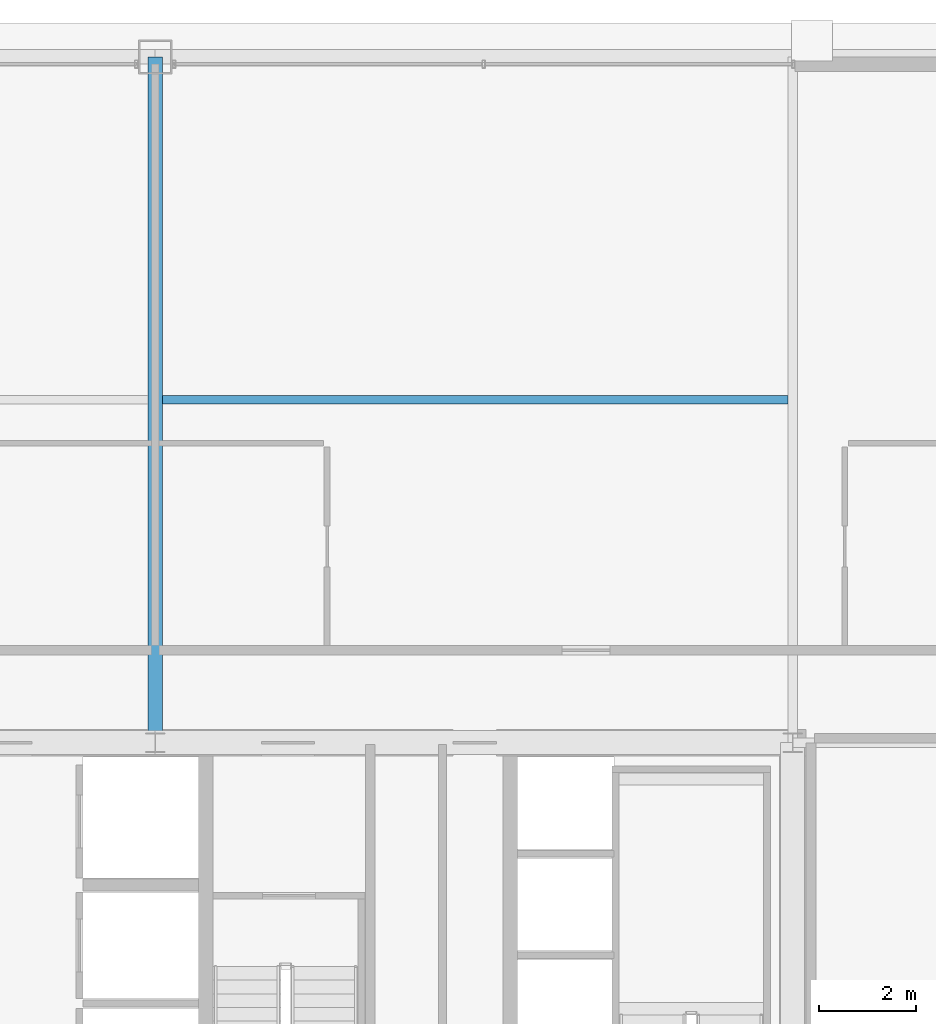
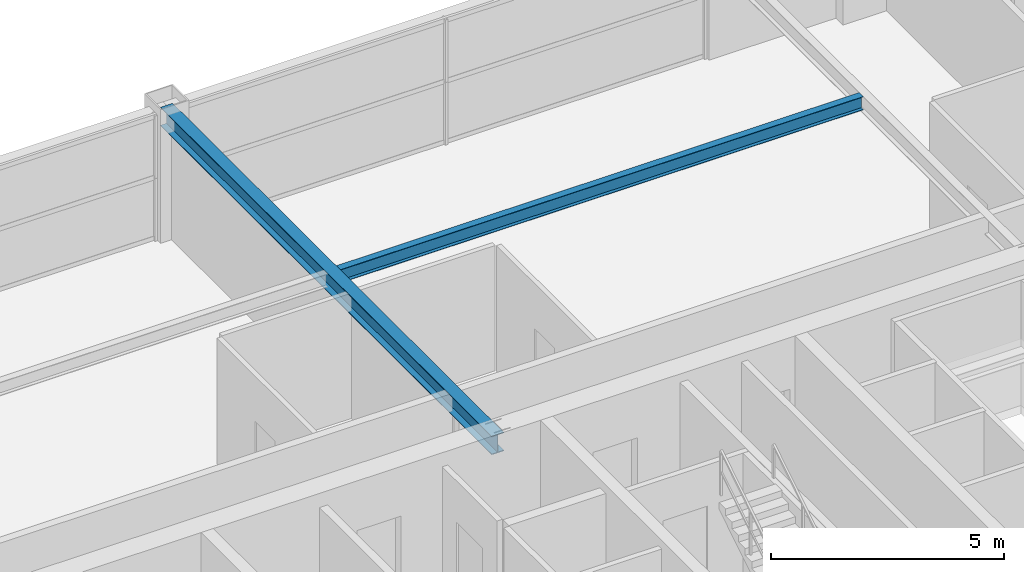
# One storey, part 27 of 36: 2 beams.
"""IFC4 building model written with IfcOpenShell, lengths in metres."""

from ifc_helpers import new_model, si_unit, direction, frame, origin, origin_2d, place, context, subcontext, project, spatial, i_section, extrude, source, transform, mapped, material, material_profile, profile_set, type_object, element, save


model = new_model("IFC4")

# Units and contexts
model_context = context("Model", 3, precision=1e-05, world=origin(), true_north=direction((0.0, 1.0)))
body_context = subcontext(model_context, "Body", "Model", "MODEL_VIEW")
ifc_project = project(units=[si_unit("LENGTHUNIT", "METRE"), si_unit("AREAUNIT", "SQUARE_METRE"), si_unit("VOLUMEUNIT", "CUBIC_METRE"), si_unit("PLANEANGLEUNIT", "RADIAN"), si_unit("MASSUNIT", "GRAM", prefix="KILO"), si_unit("THERMODYNAMICTEMPERATUREUNIT", "KELVIN"), si_unit("POWERUNIT", "WATT")], contexts=[model_context])

# Site, building, storey
site_placement = place(None, origin())
site = spatial("IfcSite", under=ifc_project, at=site_placement, CompositionType="ELEMENT")
building_placement = place(site_placement, origin())
building = spatial("IfcBuilding", under=site, at=building_placement, Name="Yuzanri Waterfront Tower", CompositionType="ELEMENT")
storey_placement = place(building_placement, frame((0.0, 0.0, 224.10009765625)))
storey = spatial("IfcBuildingStorey", under=building, at=storey_placement, Name="L59", CompositionType="ELEMENT", Elevation=224.10009765625)

# Beams
ifc_material_1 = material(Name="Steel Q355B", Category="steel")
ifc_material_profile_1 = material_profile(ifc_material_1, i_section(OverallWidth=0.300048828125, OverallDepth=0.488037109375, WebThickness=0.010986328125, FlangeThickness=0.01806640625, at=origin_2d()), Name="HM 488x300x11x18")
ifc_profile_set_1 = profile_set([ifc_material_profile_1], Name="Steel Q355B")
beam_type_1 = type_object("IfcBeamType", Name="Primary Floor Girder Q355B HM 488x300", PredefinedType="BEAM", material=ifc_profile_set_1)
shared_shape_1 = source(origin(), body_context, "Body", "SweptSolid", [
    extrude(i_section(OverallWidth=0.300048828125, OverallDepth=0.488037109375, WebThickness=0.010986328125, FlangeThickness=0.01806640625, at=origin_2d()), origin(), (0.0, 0.0, 1.0), 14.199951171875),
])
beam_1_placement = place(storey_placement, frame((37.0, 32.199951171875, 3.035888671875), z_axis=(0.0, 1.0, 0.0), x_axis=(-1.0, 0.0, 0.0)))
element("IfcBeam", 1, at=beam_1_placement, inside=storey, type_object=beam_type_1, Name="L59 North Grid Girder", PredefinedType="BEAM", context=body_context, shape_type="MappedRepresentation", body=[
    mapped(shared_shape_1, transform((0.0, 0.0, 0.0), scale=1.0)),
])
ifc_material_2 = material(Name="Steel Q355B", Category="steel")
ifc_material_profile_2 = material_profile(ifc_material_2, i_section(OverallWidth=0.175048828125, OverallDepth=0.35009765625, WebThickness=0.007080078125, FlangeThickness=0.010986328125, at=origin_2d()), Name="HN 350x175x7x11")
ifc_profile_set_2 = profile_set([ifc_material_profile_2], Name="Steel Q355B")
beam_type_2 = type_object("IfcBeamType", Name="Floor Joist Q355B HN 350x175", PredefinedType="JOIST", material=ifc_profile_set_2)
shared_shape_2 = source(origin(), body_context, "Body", "SweptSolid", [
    extrude(i_section(OverallWidth=0.175048828125, OverallDepth=0.35009765625, WebThickness=0.007080078125, FlangeThickness=0.010986328125, at=origin_2d()), origin(), (0.0, 0.0, 1.0), 12.9501953125),
])
beam_2_placement = place(storey_placement, frame((37.14990234375, 39.300048828125, 3.10498046875), z_axis=(1.0, 0.0, 0.0), x_axis=(0.0, 1.0, 0.0)))
element("IfcBeam", 2, at=beam_2_placement, inside=storey, type_object=beam_type_2, Name="L59 North Bay Joist E", PredefinedType="JOIST", context=body_context, shape_type="MappedRepresentation", body=[
    mapped(shared_shape_2, transform((0.0, 0.0, 0.0), scale=1.0)),
])

save(model, "model.ifc")
